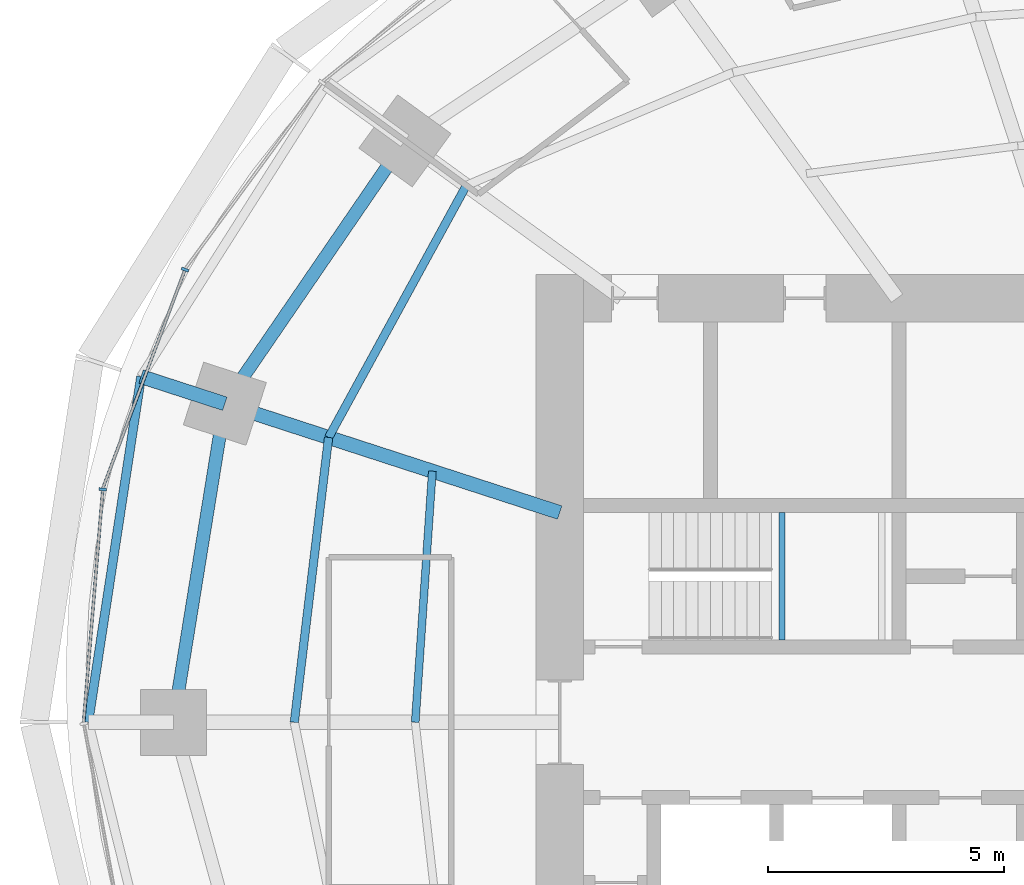
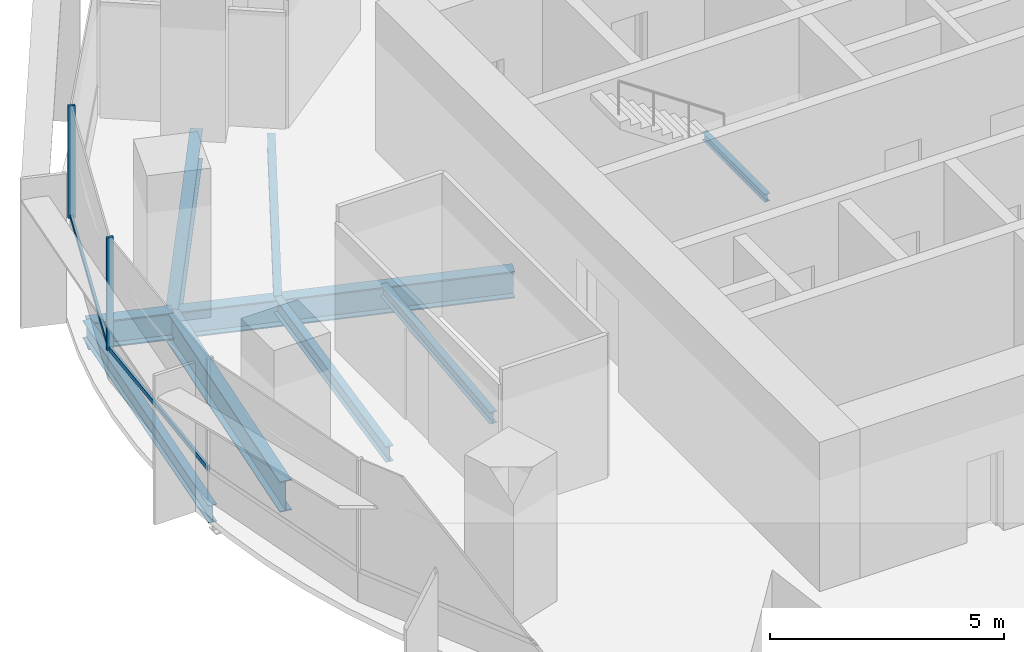
# One storey, part 4 of 15: 9 beams, 4 members, 1 element without a shape of its own.
"""IFC4 building model written with IfcOpenShell, lengths in metres."""

from ifc_helpers import new_model, si_unit, direction, frame, origin, origin_2d, place, context, subcontext, project, spatial, rectangle, i_section, extrude, material, material_profile, profile_set, type_object, element, aggregate, save


model = new_model("IFC4")

# Units and contexts
model_context = context("Model", 3, precision=1e-05, world=origin(), true_north=direction((0.0, 1.0)))
body_context = subcontext(model_context, "Body", "Model", "MODEL_VIEW")
ifc_project = project(units=[si_unit("LENGTHUNIT", "METRE"), si_unit("AREAUNIT", "SQUARE_METRE"), si_unit("VOLUMEUNIT", "CUBIC_METRE"), si_unit("PLANEANGLEUNIT", "RADIAN"), si_unit("MASSUNIT", "GRAM", prefix="KILO")], contexts=[model_context])

# Site, building, storey
site_placement = place(None, origin())
site = spatial("IfcSite", under=ifc_project, at=site_placement, CompositionType="ELEMENT")
building_placement = place(site_placement, origin())
building = spatial("IfcBuilding", under=site, at=building_placement, Name="Marramba Exchange Tower", CompositionType="ELEMENT")
storey_placement = place(building_placement, frame((0.0, 0.0, 187.699951171875)))
storey = spatial("IfcBuildingStorey", under=building, at=storey_placement, Name="L45", CompositionType="ELEMENT", Elevation=187.699951171875)

# Beams
ifc_material_1 = material(Name="Steel AS/NZS 3679.2 grade 300", Category="steel")
ifc_material_profile_1 = material_profile(ifc_material_1, i_section(OverallWidth=0.300048828125, OverallDepth=0.699951171875, WebThickness=0.010009765625, FlangeThickness=0.031982421875, at=origin_2d()), Name="700WB173")
ifc_profile_set_1 = profile_set([ifc_material_profile_1], Name="Steel AS/NZS 3679.2 grade 300")
beam_type_1 = type_object("IfcBeamType", Name="Cantilever girder 700WB173", PredefinedType="BEAM", material=ifc_profile_set_1)
beam_1_placement = place(storey_placement, frame((-20.808349609375, 6.760986328125, -0.510009765625), z_axis=(-0.951047511993, 0.309044705395, 0.0), x_axis=(-0.309044705395, -0.951047511993, 0.0)))
element("IfcBeam", 1, at=beam_1_placement, inside=storey, type_object=beam_type_1, Name="Cantilever girder L45 TC10", PredefinedType="BEAM", context=body_context, shape_type="SweptSolid", body=[
    extrude(i_section(OverallWidth=0.300048828125, OverallDepth=0.699951171875, WebThickness=0.010009765625, FlangeThickness=0.031982421875, at=origin_2d()), origin(), (0.0, 0.0, 1.0), 1.868408203125),
])
ifc_material_2 = material(Name="Steel AS/NZS 3679.1 grade 300", Category="steel")
ifc_material_profile_2 = material_profile(ifc_material_2, i_section(OverallWidth=0.166015625, OverallDepth=0.306884765625, WebThickness=0.006591796875, FlangeThickness=0.01171875, FilletRadius=0.011474609375, at=origin_2d()), Name="310UB46.2")
ifc_profile_set_2 = profile_set([ifc_material_profile_2], Name="Steel AS/NZS 3679.1 grade 300")
beam_type_2 = type_object("IfcBeamType", Name="Floor joist 310UB46.2", PredefinedType="JOIST", material=ifc_profile_set_2)
beam_2_placement = place(storey_placement, frame((-16.40283203125, 5.32958984375, -0.3134765625), z_axis=(-0.068096259546, -0.99767875563, 0.0), x_axis=(0.99767875563, -0.068096259546, 0.0)))
element("IfcBeam", 2, at=beam_2_placement, inside=storey, type_object=beam_type_2, Name="Joist L45 bay 10 row 1", PredefinedType="JOIST", context=body_context, shape_type="SweptSolid", body=[
    extrude(i_section(OverallWidth=0.166015625, OverallDepth=0.306884765625, WebThickness=0.006591796875, FlangeThickness=0.01171875, FilletRadius=0.011474609375, at=origin_2d()), origin(), (0.0, 0.0, 1.0), 5.342041015625),
])
ifc_material_profile_3 = material_profile(ifc_material_2, i_section(OverallWidth=0.177978515625, OverallDepth=0.406005859375, WebThickness=0.0078125, FlangeThickness=0.0126953125, FilletRadius=0.011474609375, at=origin_2d()), Name="410UB59.7")
ifc_profile_set_3 = profile_set([ifc_material_profile_3], Name="Steel AS/NZS 3679.1 grade 300")
beam_type_3 = type_object("IfcBeamType", Name="Floor joist 410UB59.7", PredefinedType="JOIST", material=ifc_profile_set_3)
beam_3_placement = place(storey_placement, frame((-15.682373046875, 11.393798828125, -0.363037109375), z_axis=(-0.479584443791, -0.877495732909, 0.0), x_axis=(0.877495732909, -0.479584443791, 0.0)))
element("IfcBeam", 3, at=beam_3_placement, inside=storey, type_object=beam_type_3, Name="Joist L45 bay 09 row 2", PredefinedType="JOIST", context=body_context, shape_type="SweptSolid", body=[
    extrude(i_section(OverallWidth=0.177978515625, OverallDepth=0.406005859375, WebThickness=0.0078125, FlangeThickness=0.0126953125, FilletRadius=0.011474609375, at=origin_2d()), origin(), (0.0, 0.0, 1.0), 6.094970703125),
])
beam_4_placement = place(storey_placement, frame((-18.60546875, 6.04541015625, -0.363037109375), z_axis=(-0.119523078538, -0.992831422597, 0.0), x_axis=(0.992831422597, -0.119523078538, 0.0)))
element("IfcBeam", 4, at=beam_4_placement, inside=storey, type_object=beam_type_3, Name="Joist L45 bay 10 row 2", PredefinedType="JOIST", context=body_context, shape_type="SweptSolid", body=[
    extrude(i_section(OverallWidth=0.177978515625, OverallDepth=0.406005859375, WebThickness=0.0078125, FlangeThickness=0.0126953125, FilletRadius=0.011474609375, at=origin_2d()), origin(), (0.0, 0.0, 1.0), 6.089111328125),
])

# Curtain wall, members
ifc_material_3 = material(Name="Aluminium framing, bronze anodised", Category="aluminium")
curtain_wall_type = type_object("IfcCurtainWallType", Name="Office ribbon curtain wall", PredefinedType="USERDEFINED", material=ifc_material_3)
curtain_wall_placement = place(storey_placement, origin())
curtain_wall = element("IfcCurtainWall", 5, at=curtain_wall_placement, inside=storey, type_object=curtain_wall_type, Name="Curtain wall CW4 L45 F11-F15", ObjectType="RIBBON CURTAIN WALL", PredefinedType="USERDEFINED")
ifc_material_4 = material(Name="Aluminium mullion, bronze anodised", Category="aluminium")
ifc_material_profile_4 = material_profile(ifc_material_4, rectangle(XDim=0.159912109375, YDim=0.06005859375, at=origin_2d()), Name="CW4 mullion 60x160")
ifc_profile_set_4 = profile_set([ifc_material_profile_4], Name="Aluminium mullion, bronze anodised")
member_type_1 = type_object("IfcMemberType", Name="Office ribbon curtain wall mullion", PredefinedType="MULLION", material=ifc_profile_set_4)
member_1_placement = place(storey_placement, frame((-21.65283203125, 9.607666015625, 0.800048828125), z_axis=(0.0, 0.0, 1.0), x_axis=(0.936018231909, -0.351951515885, 0.0)))
member_1 = element("IfcMember", 6, at=member_1_placement, type_object=member_type_1, Name="CW4 mullion 1", PredefinedType="MULLION", context=body_context, shape_type="SweptSolid", body=[
    extrude(rectangle(XDim=0.159912109375, YDim=0.06005859375, at=origin_2d()), origin(), (0.0, 0.0, 1.0), 2.93994140625),
])
member_2_placement = place(storey_placement, frame((-23.39794921875, 4.94287109375, 0.800048828125), z_axis=(0.0, 0.0, 1.0), x_axis=(0.996609178714, -0.082280890264, 0.0)))
member_2 = element("IfcMember", 7, at=member_2_placement, type_object=member_type_1, Name="CW4 mullion 1", PredefinedType="MULLION", context=body_context, shape_type="SweptSolid", body=[
    extrude(rectangle(XDim=0.159912109375, YDim=0.06005859375, at=origin_2d()), origin(), (0.0, 0.0, 1.0), 2.93994140625),
])
ifc_material_5 = material(Name="Aluminium transom, bronze anodised", Category="aluminium")
ifc_material_profile_5 = material_profile(ifc_material_5, rectangle(XDim=0.06005859375, YDim=0.1201171875, at=origin_2d()), Name="CW4 transom 60x120")
ifc_profile_set_5 = profile_set([ifc_material_profile_5], Name="Aluminium transom, bronze anodised")
member_type_2 = type_object("IfcMemberType", Name="Office ribbon curtain wall transom", PredefinedType="USERDEFINED", material=ifc_profile_set_5)
member_3_placement = place(storey_placement, frame((-21.663330078125, 9.57958984375, 0.830078125), z_axis=(-0.351955054115, -0.936016901494, 0.0), x_axis=(0.936016901494, -0.351955054115, 0.0)))
member_3 = element("IfcMember", 8, at=member_3_placement, type_object=member_type_2, Name="CW4 sill transom", ObjectType="TRANSOM", PredefinedType="USERDEFINED", context=body_context, shape_type="SweptSolid", body=[
    extrude(rectangle(XDim=0.06005859375, YDim=0.1201171875, at=origin_2d()), origin(), (0.0, 0.0, 1.0), 4.921630859375),
])
member_4_placement = place(storey_placement, frame((-23.400390625, 4.9130859375, 0.830078125), z_axis=(-0.082258542539, -0.996611023509, 0.0), x_axis=(0.996611023509, -0.082258542539, 0.0)))
member_4 = element("IfcMember", 9, at=member_4_placement, type_object=member_type_2, Name="CW4 sill transom", ObjectType="TRANSOM", PredefinedType="USERDEFINED", context=body_context, shape_type="SweptSolid", body=[
    extrude(rectangle(XDim=0.06005859375, YDim=0.1201171875, at=origin_2d()), origin(), (0.0, 0.0, 1.0), 4.9296875),
])
aggregate(curtain_wall, [member_1, member_3, member_2, member_4])

# Beams
ifc_material_profile_6 = material_profile(ifc_material_1, i_section(OverallWidth=0.300048828125, OverallDepth=0.699951171875, WebThickness=0.010009765625, FlangeThickness=0.031982421875, at=origin_2d()), Name="700WB173")
ifc_profile_set_6 = profile_set([ifc_material_profile_6], Name="Steel AS/NZS 3679.2 grade 300")
beam_type_4 = type_object("IfcBeamType", Name="Radial girder 700WB173", PredefinedType="BEAM", material=ifc_profile_set_6)
beam_5_placement = place(storey_placement, frame((-13.699951171875, 4.451416015625, -0.510009765625), z_axis=(-0.951059990189, 0.309006302624, 0.0), x_axis=(-0.309006302624, -0.951059990189, 0.0)))
element("IfcBeam", 10, at=beam_5_placement, inside=storey, type_object=beam_type_4, Name="Radial girder L45 TC10", PredefinedType="BEAM", context=body_context, shape_type="SweptSolid", body=[
    extrude(i_section(OverallWidth=0.300048828125, OverallDepth=0.699951171875, WebThickness=0.010009765625, FlangeThickness=0.031982421875, at=origin_2d()), origin(), (0.0, 0.0, 1.0), 7.47412109375),
])
ifc_material_profile_7 = material_profile(ifc_material_1, i_section(OverallWidth=0.27490234375, OverallDepth=0.800048828125, WebThickness=0.010009765625, FlangeThickness=0.02490234375, at=origin_2d()), Name="800WB168")
ifc_profile_set_7 = profile_set([ifc_material_profile_7], Name="Steel AS/NZS 3679.2 grade 300")
beam_type_5 = type_object("IfcBeamType", Name="Ring beam 800WB168", PredefinedType="SPANDREL", material=ifc_profile_set_7)
beam_6_placement = place(storey_placement, frame((-16.98583984375, 12.3408203125, -0.56005859375), z_axis=(-0.56516002054, -0.824981303535, 0.0), x_axis=(0.824981303535, -0.56516002054, 0.0)))
element("IfcBeam", 11, at=beam_6_placement, inside=storey, type_object=beam_type_5, Name="Ring beam L45 TC09-TC10", PredefinedType="SPANDREL", context=body_context, shape_type="SweptSolid", body=[
    extrude(i_section(OverallWidth=0.27490234375, OverallDepth=0.800048828125, WebThickness=0.010009765625, FlangeThickness=0.02490234375, at=origin_2d()), origin(), (0.0, 0.0, 1.0), 6.763671875),
])
beam_7_placement = place(storey_placement, frame((-20.808349609375, 6.760986328125, -0.56005859375), z_axis=(-0.159384865399, -0.987216523708, 0.0), x_axis=(0.987216523708, -0.159384865399, 0.0)))
element("IfcBeam", 12, at=beam_7_placement, inside=storey, type_object=beam_type_5, Name="Ring beam L45 TC10-TC11", PredefinedType="SPANDREL", context=body_context, shape_type="SweptSolid", body=[
    extrude(i_section(OverallWidth=0.27490234375, OverallDepth=0.800048828125, WebThickness=0.010009765625, FlangeThickness=0.02490234375, at=origin_2d()), origin(), (0.0, 0.0, 1.0), 6.8486328125),
])
ifc_material_profile_8 = material_profile(ifc_material_2, i_section(OverallWidth=0.19091796875, OverallDepth=0.4599609375, WebThickness=0.010009765625, FlangeThickness=0.01611328125, FilletRadius=0.011474609375, at=origin_2d()), Name="460UB82.1")
ifc_profile_set_8 = profile_set([ifc_material_profile_8], Name="Steel AS/NZS 3679.1 grade 300")
beam_type_6 = type_object("IfcBeamType", Name="Slab edge beam 460UB82.1", PredefinedType="SPANDREL", material=ifc_profile_set_8)
beam_8_placement = place(storey_placement, frame((-22.585205078125, 7.33837890625, -0.389892578125), z_axis=(-0.150987012186, -0.988535746522, 0.0), x_axis=(0.988535746522, -0.150987012186, 0.0)))
element("IfcBeam", 13, at=beam_8_placement, inside=storey, type_object=beam_type_6, Name="Slab edge beam L45 TC10-TC11", PredefinedType="SPANDREL", context=body_context, shape_type="SweptSolid", body=[
    extrude(i_section(OverallWidth=0.19091796875, OverallDepth=0.4599609375, WebThickness=0.010009765625, FlangeThickness=0.01611328125, FilletRadius=0.011474609375, at=origin_2d()), origin(), (0.0, 0.0, 1.0), 7.423583984375),
])
ifc_material_profile_9 = material_profile(ifc_material_2, i_section(OverallWidth=0.133056640625, OverallDepth=0.202880859375, WebThickness=0.005859375, FlangeThickness=0.0078125, FilletRadius=0.0087890625, at=origin_2d()), Name="200UB25.4")
ifc_profile_set_9 = profile_set([ifc_material_profile_9], Name="Steel AS/NZS 3679.1 grade 300")
beam_type_7 = type_object("IfcBeamType", Name="Stair landing beam 200UB25.4", PredefinedType="BEAM", material=ifc_profile_set_9)
beam_9_placement = place(storey_placement, frame((-8.9833984375, 1.75, 1.6484375), z_axis=(0.0, 1.0, 0.0), x_axis=(-1.0, 0.0, 0.0)))
element("IfcBeam", 14, at=beam_9_placement, inside=storey, type_object=beam_type_7, Name="Stair landing beam SLB1 ST1 L45 1", PredefinedType="BEAM", context=body_context, shape_type="SweptSolid", body=[
    extrude(i_section(OverallWidth=0.133056640625, OverallDepth=0.202880859375, WebThickness=0.005859375, FlangeThickness=0.0078125, FilletRadius=0.0087890625, at=origin_2d()), origin(), (0.0, 0.0, 1.0), 2.699951171875),
])

save(model, "model.ifc")
